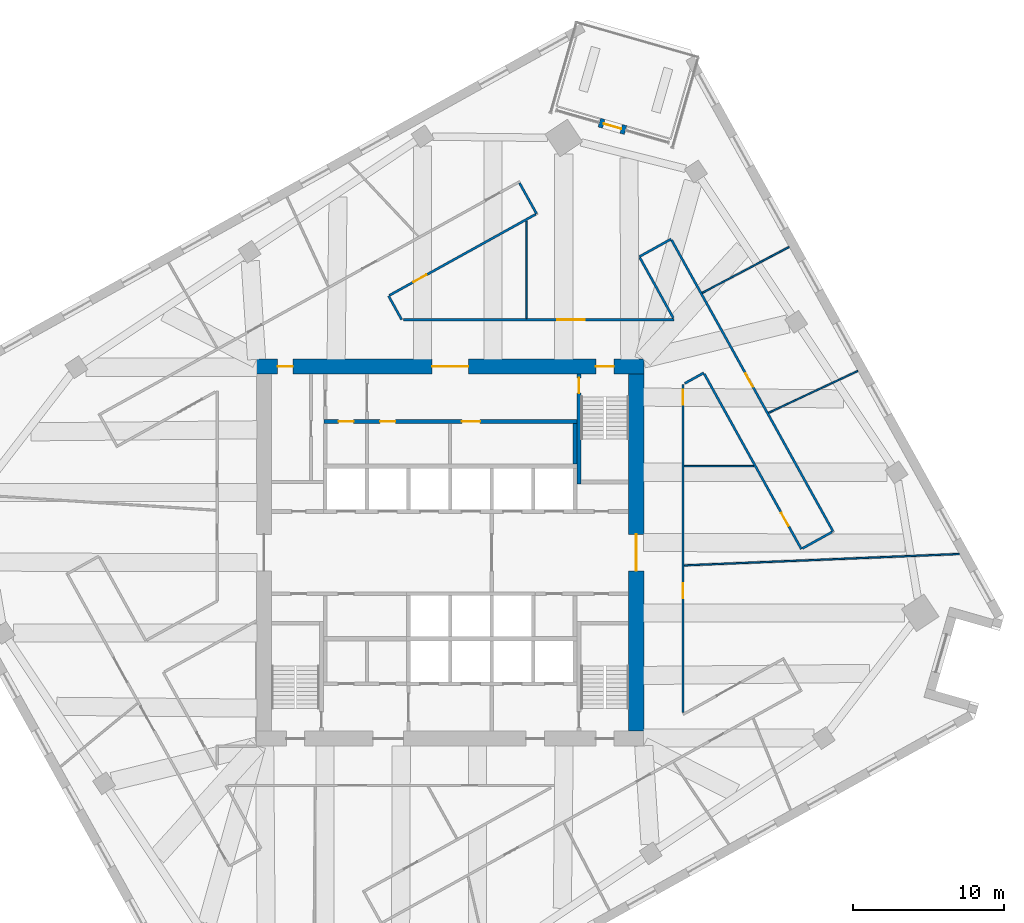
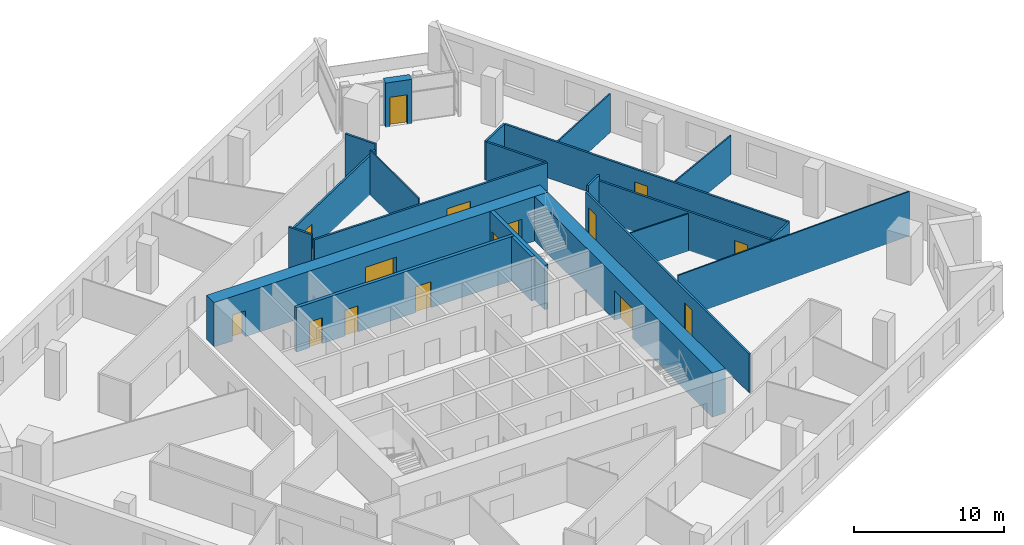
# One storey, part 9 of 12: 22 walls, 15 doors, 15 openings.
"""IFC4 building model written with IfcOpenShell, lengths in metres."""

from ifc_helpers import new_model, si_unit, direction, frame, frame_2d, origin, place, context, subcontext, project, spatial, rectangle, extrude, material, layer, layer_set, type_object, element, fill, save


model = new_model("IFC4")

# Units and contexts
model_context = context("Model", 3, precision=1e-05, world=origin(), true_north=direction((0.0, 1.0)))
body_context = subcontext(model_context, "Body", "Model", "MODEL_VIEW")
ifc_project = project(units=[si_unit("LENGTHUNIT", "METRE"), si_unit("AREAUNIT", "SQUARE_METRE"), si_unit("VOLUMEUNIT", "CUBIC_METRE"), si_unit("PLANEANGLEUNIT", "RADIAN"), si_unit("MASSUNIT", "GRAM", prefix="KILO")], contexts=[model_context])

# Site, building, storey
site_placement = place(None, origin())
site = spatial("IfcSite", under=ifc_project, at=site_placement, CompositionType="ELEMENT")
building_placement = place(site_placement, origin())
building = spatial("IfcBuilding", under=site, at=building_placement, Name="Dilmun Exchange Tower", CompositionType="ELEMENT")
storey_placement = place(building_placement, frame((0.0, 0.0, 143.699951171875)))
storey = spatial("IfcBuildingStorey", under=building, at=storey_placement, Name="L33", CompositionType="ELEMENT", Elevation=143.699951171875)

# Wall
ifc_material_1 = material(Name="Concrete C40/50", Category="concrete")
ifc_layer_1 = layer(ifc_material_1, 0.25)
ifc_layer_set_1 = layer_set([ifc_layer_1], Name="Concrete C40/50")
wall_type_1 = type_object("IfcWallType", Name="Core partition wall 250", PredefinedType="PARTITIONING", material=ifc_layer_set_1)
wall_1_placement = place(storey_placement, frame((8.25, 5.85498046875, 0.0), z_axis=(0.0, 0.0, 1.0), x_axis=(0.0, 1.0, 0.0)))
element("IfcWall", 1, at=wall_1_placement, inside=storey, type_object=wall_type_1, Name="L33 core partition wall 19", PredefinedType="PARTITIONING", context=body_context, shape_type="SweptSolid", body=[
    extrude(rectangle(XDim=2.68994140625, YDim=0.25, at=frame_2d((1.344970703125, 0.0))), origin(), (0.0, 0.0, 1.0), 3.60009765625),
])

# Wall, openings, doors
wall_2_placement = place(storey_placement, frame((-8.35009765625, 8.675048828125, 0.0), z_axis=(0.0, 0.0, 1.0), x_axis=(1.0, 0.0, 0.0)))
wall_2 = element("IfcWall", 2, at=wall_2_placement, inside=storey, type_object=wall_type_1, Name="L33 core partition wall 20", PredefinedType="PARTITIONING", context=body_context, shape_type="SweptSolid", body=[
    extrude(rectangle(XDim=16.72021484375, YDim=0.25, at=frame_2d((8.360107421875, 0.0))), origin(), (0.0, 0.0, 1.0), 3.60009765625),
])
opening_1_placement = place(wall_2_placement, frame((0.97509765625, 0.0, 0.0)))
opening_1 = element("IfcOpeningElement", 3, at=opening_1_placement, cuts=wall_2, Name="Opening CD4", PredefinedType="OPENING", context=body_context, shape_type="SweptSolid", body=[
    extrude(rectangle(XDim=1.0, YDim=2.10009765625, at=frame_2d((0.5, 1.050048828125))), frame((0.0, 0.135009765625, 0.0), z_axis=(0.0, -1.0, 0.0), x_axis=(1.0, 0.0, 0.0)), (0.0, 0.0, 1.0), 0.27001953125),
])
opening_2_placement = place(wall_2_placement, frame((3.72509765625, 0.0, 0.0)))
opening_2 = element("IfcOpeningElement", 4, at=opening_2_placement, cuts=wall_2, Name="Opening CD4", PredefinedType="OPENING", context=body_context, shape_type="SweptSolid", body=[
    extrude(rectangle(XDim=1.0, YDim=2.10009765625, at=frame_2d((0.5, 1.050048828125))), frame((0.0, 0.135009765625, 0.0), z_axis=(0.0, -1.0, 0.0), x_axis=(1.0, 0.0, 0.0)), (0.0, 0.0, 1.0), 0.27001953125),
])
opening_3_placement = place(wall_2_placement, frame((9.125, 0.0, 0.0)))
opening_3 = element("IfcOpeningElement", 5, at=opening_3_placement, cuts=wall_2, Name="Opening CD3", PredefinedType="OPENING", context=body_context, shape_type="SweptSolid", body=[
    extrude(rectangle(XDim=1.199951171875, YDim=2.10009765625, at=frame_2d((0.60009765625, 1.050048828125))), frame((0.0, 0.135009765625, 0.0), z_axis=(0.0, -1.0, 0.0), x_axis=(1.0, 0.0, 0.0)), (0.0, 0.0, 1.0), 0.27001953125),
])
ifc_material_2 = material(Name="Fire-rated steel door set", Category="steel")
door_type_1 = type_object("IfcDoorType", Name="Core room door 1000x2100", OperationType="SINGLE_SWING_LEFT", PredefinedType="DOOR", material=ifc_material_2)
door_1_placement = place(opening_1_placement, origin())
door_1 = element("IfcDoor", 6, at=door_1_placement, inside=storey, type_object=door_type_1, Name="L33 door Electrical room", OperationType="SINGLE_SWING_RIGHT", OverallHeight=2.10009765625, OverallWidth=1.0, PredefinedType="DOOR", context=body_context, shape_type="SweptSolid", body=[
    extrude(rectangle(XDim=1.0, YDim=2.10009765625, at=frame_2d((0.5, 1.050048828125))), frame((0.0, 0.02490234375, 0.0), z_axis=(0.0, -1.0, 0.0), x_axis=(1.0, 0.0, 0.0)), (0.0, 0.0, 1.0), 0.050048828125),
])
fill(opening_1, door_1)
door_2_placement = place(opening_2_placement, origin())
door_2 = element("IfcDoor", 7, at=door_2_placement, inside=storey, type_object=door_type_1, Name="L33 door Tenant services room", OperationType="SINGLE_SWING_RIGHT", OverallHeight=2.10009765625, OverallWidth=1.0, PredefinedType="DOOR", context=body_context, shape_type="SweptSolid", body=[
    extrude(rectangle(XDim=1.0, YDim=2.10009765625, at=frame_2d((0.5, 1.050048828125))), frame((0.0, 0.02490234375, 0.0), z_axis=(0.0, -1.0, 0.0), x_axis=(1.0, 0.0, 0.0)), (0.0, 0.0, 1.0), 0.050048828125),
])
fill(opening_2, door_2)
door_type_2 = type_object("IfcDoorType", Name="Stair exit door 1200x2100", OperationType="SINGLE_SWING_LEFT", PredefinedType="DOOR", material=ifc_material_2)
door_3_placement = place(opening_3_placement, origin())
door_3 = element("IfcDoor", 8, at=door_3_placement, inside=storey, type_object=door_type_2, Name="L33 door Tenant amenity store", OperationType="SINGLE_SWING_LEFT", OverallHeight=2.10009765625, OverallWidth=1.199951171875, PredefinedType="DOOR", context=body_context, shape_type="SweptSolid", body=[
    extrude(rectangle(XDim=1.199951171875, YDim=2.10009765625, at=frame_2d((0.60009765625, 1.050048828125))), frame((0.0, 0.02490234375, 0.0), z_axis=(0.0, -1.0, 0.0), x_axis=(1.0, 0.0, 0.0)), (0.0, 0.0, 1.0), 0.050048828125),
])
fill(opening_3, door_3)

ifc_material_3 = material(Name="Concrete C70/85", Category="concrete")
ifc_layer_2 = layer(ifc_material_3, 1.0)
ifc_layer_set_2 = layer_set([ifc_layer_2], Name="Concrete C70/85")
wall_type_2 = type_object("IfcWallType", Name="Core shear wall 1000 Concrete C70/85", PredefinedType="SHEAR", material=ifc_layer_set_2)
wall_3_placement = place(storey_placement, frame((-12.800048828125, 12.300048828125, 0.0), z_axis=(0.0, 0.0, 1.0), x_axis=(1.0, 0.0, 0.0)))
wall_3 = element("IfcWall", 9, at=wall_3_placement, inside=storey, type_object=wall_type_2, Name="L33 core shear wall N", PredefinedType="SHEAR", context=body_context, shape_type="SweptSolid", body=[
    extrude(rectangle(XDim=25.60009765625, YDim=1.0, at=frame_2d((12.800048828125, 0.0))), origin(), (0.0, 0.0, 1.0), 3.60009765625),
])
opening_4_placement = place(wall_3_placement, frame((11.60009765625, 0.0, 0.0)))
opening_4 = element("IfcOpeningElement", 10, at=opening_4_placement, cuts=wall_3, Name="Opening CD1", PredefinedType="OPENING", context=body_context, shape_type="SweptSolid", body=[
    extrude(rectangle(XDim=2.39990234375, YDim=2.39990234375, at=frame_2d((1.199951171875, 1.199951171875))), frame((0.0, 0.510009765625, 0.0), z_axis=(0.0, -1.0, 0.0), x_axis=(1.0, 0.0, 0.0)), (0.0, 0.0, 1.0), 1.02001953125),
])
opening_5_placement = place(wall_3_placement, frame((22.425048828125, 0.0, 0.0)))
opening_5 = element("IfcOpeningElement", 11, at=opening_5_placement, cuts=wall_3, Name="Opening CD3", PredefinedType="OPENING", context=body_context, shape_type="SweptSolid", body=[
    extrude(rectangle(XDim=1.199951171875, YDim=2.10009765625, at=frame_2d((0.60009765625, 1.050048828125))), frame((0.0, 0.510009765625, 0.0), z_axis=(0.0, -1.0, 0.0), x_axis=(1.0, 0.0, 0.0)), (0.0, 0.0, 1.0), 1.02001953125),
])
opening_6_placement = place(wall_3_placement, frame((1.39990234375, 0.0, 0.0)))
opening_6 = element("IfcOpeningElement", 12, at=opening_6_placement, cuts=wall_3, Name="Opening CD4", PredefinedType="OPENING", context=body_context, shape_type="SweptSolid", body=[
    extrude(rectangle(XDim=1.0, YDim=2.10009765625, at=frame_2d((0.5, 1.050048828125))), frame((0.0, 0.510009765625, 0.0), z_axis=(0.0, -1.0, 0.0), x_axis=(1.0, 0.0, 0.0)), (0.0, 0.0, 1.0), 1.02001953125),
])
door_type_3 = type_object("IfcDoorType", Name="Core lobby door 2400x2400", OperationType="DOUBLE_DOOR_DOUBLE_SWING", PredefinedType="DOOR", material=ifc_material_2)
door_4_placement = place(opening_4_placement, origin())
door_4 = element("IfcDoor", 13, at=door_4_placement, inside=storey, type_object=door_type_3, Name="L33 door North lift lobby", OperationType="SINGLE_SWING_LEFT", OverallHeight=2.39990234375, OverallWidth=2.39990234375, PredefinedType="DOOR", context=body_context, shape_type="SweptSolid", body=[
    extrude(rectangle(XDim=2.39990234375, YDim=2.39990234375, at=frame_2d((1.199951171875, 1.199951171875))), frame((0.0, 0.02490234375, 0.0), z_axis=(0.0, -1.0, 0.0), x_axis=(1.0, 0.0, 0.0)), (0.0, 0.0, 1.0), 0.050048828125),
])
fill(opening_4, door_4)
door_5_placement = place(opening_6_placement, origin())
door_5 = element("IfcDoor", 14, at=door_5_placement, inside=storey, type_object=door_type_1, Name="L33 door North-west core rooms", OperationType="SINGLE_SWING_LEFT", OverallHeight=2.10009765625, OverallWidth=1.0, PredefinedType="DOOR", context=body_context, shape_type="SweptSolid", body=[
    extrude(rectangle(XDim=1.0, YDim=2.10009765625, at=frame_2d((0.5, 1.050048828125))), frame((0.0, 0.02490234375, 0.0), z_axis=(0.0, -1.0, 0.0), x_axis=(1.0, 0.0, 0.0)), (0.0, 0.0, 1.0), 0.050048828125),
])
fill(opening_6, door_5)
door_6_placement = place(opening_5_placement, origin())
door_6 = element("IfcDoor", 15, at=door_6_placement, inside=storey, type_object=door_type_2, Name="L33 door Stair ST1", OperationType="SINGLE_SWING_LEFT", OverallHeight=2.10009765625, OverallWidth=1.199951171875, PredefinedType="DOOR", context=body_context, shape_type="SweptSolid", body=[
    extrude(rectangle(XDim=1.199951171875, YDim=2.10009765625, at=frame_2d((0.60009765625, 1.050048828125))), frame((0.0, 0.02490234375, 0.0), z_axis=(0.0, -1.0, 0.0), x_axis=(1.0, 0.0, 0.0)), (0.0, 0.0, 1.0), 0.050048828125),
])
fill(opening_5, door_6)

# Wall, opening, door
wall_4_placement = place(storey_placement, frame((12.300048828125, -11.800048828125, 0.0), z_axis=(0.0, 0.0, 1.0), x_axis=(0.0, 1.0, 0.0)))
wall_4 = element("IfcWall", 16, at=wall_4_placement, inside=storey, type_object=wall_type_2, Name="L33 core shear wall E", PredefinedType="SHEAR", context=body_context, shape_type="SweptSolid", body=[
    extrude(rectangle(XDim=23.60009765625, YDim=1.0, at=frame_2d((11.800048828125, 0.0))), origin(), (0.0, 0.0, 1.0), 3.60009765625),
])
opening_7_placement = place(wall_4_placement, frame((10.60009765625, 0.0, 0.0)))
opening_7 = element("IfcOpeningElement", 17, at=opening_7_placement, cuts=wall_4, Name="Opening CD1", PredefinedType="OPENING", context=body_context, shape_type="SweptSolid", body=[
    extrude(rectangle(XDim=2.39990234375, YDim=2.39990234375, at=frame_2d((1.199951171875, 1.199951171875))), frame((0.0, 0.510009765625, 0.0), z_axis=(0.0, -1.0, 0.0), x_axis=(1.0, 0.0, 0.0)), (0.0, 0.0, 1.0), 1.02001953125),
])
door_7_placement = place(opening_7_placement, origin())
door_7 = element("IfcDoor", 18, at=door_7_placement, inside=storey, type_object=door_type_3, Name="L33 door Central lift lobby", OperationType="SINGLE_SWING_LEFT", OverallHeight=2.39990234375, OverallWidth=2.39990234375, PredefinedType="DOOR", context=body_context, shape_type="SweptSolid", body=[
    extrude(rectangle(XDim=2.39990234375, YDim=2.39990234375, at=frame_2d((1.199951171875, 1.199951171875))), frame((0.0, 0.02490234375, 0.0), z_axis=(0.0, -1.0, 0.0), x_axis=(1.0, 0.0, 0.0)), (0.0, 0.0, 1.0), 0.050048828125),
])
fill(opening_7, door_7)

# Wall
ifc_material_4 = material(Name="Corridor wall 150")
ifc_layer_3 = layer(ifc_material_4, 0.14990234375)
ifc_layer_set_3 = layer_set([ifc_layer_3], Name="Corridor wall 150")
wall_type_3 = type_object("IfcWallType", Name="Corridor wall 150", PredefinedType="PARTITIONING", material=ifc_layer_set_3)
wall_5_placement = place(storey_placement, frame((-4.073974609375, 16.972900390625, 0.0), z_axis=(0.0, 0.0, 1.0), x_axis=(0.484870548803, -0.874585931114, 0.0)))
element("IfcWall", 19, at=wall_5_placement, inside=storey, type_object=wall_type_3, Name="Corridor wall", PredefinedType="PARTITIONING", context=body_context, shape_type="SweptSolid", body=[
    extrude(rectangle(XDim=1.798583984375, YDim=0.14990234375, at=frame_2d((0.8994140625, 0.0))), origin(), (0.0, 0.0, 1.0), 3.60009765625),
])

# Wall, opening, door
wall_6_placement = place(storey_placement, frame((-4.00830078125, 17.009521484375, 0.0), z_axis=(0.0, 0.0, 1.0), x_axis=(0.874611645774, 0.484824163049, 0.0)))
wall_6 = element("IfcWall", 20, at=wall_6_placement, inside=storey, type_object=wall_type_3, Name="Corridor wall", PredefinedType="PARTITIONING", context=body_context, shape_type="SweptSolid", body=[
    extrude(rectangle(XDim=11.041259765625, YDim=0.14990234375, at=frame_2d((5.5205078125, 0.0))), origin(), (0.0, 0.0, 1.0), 3.150146484375),
])
opening_8_placement = place(wall_6_placement, frame((1.800048828125, 0.0, 0.0)))
opening_8 = element("IfcOpeningElement", 21, at=opening_8_placement, cuts=wall_6, Name="Opening TF31-D12", PredefinedType="OPENING", context=body_context, shape_type="SweptSolid", body=[
    extrude(rectangle(XDim=1.0, YDim=2.10009765625, at=frame_2d((0.5, 1.050048828125))), frame((0.0, 0.0849609375, 0.0), z_axis=(0.0, -1.0, 0.0), x_axis=(1.0, 0.0, 0.0)), (0.0, 0.0, 1.0), 0.169921875),
])
ifc_material_5 = material(Name="Fire door 1000 x 2100")
door_type_4 = type_object("IfcDoorType", Name="Fire door 1000 x 2100", OperationType="NOTDEFINED", PredefinedType="DOOR", material=ifc_material_5)
door_8_placement = place(opening_8_placement, frame((1.0, 0.0, 0.0), z_axis=(0.0, 0.0, 1.0), x_axis=(-1.0, 0.0, 0.0)))
door_8 = element("IfcDoor", 22, at=door_8_placement, inside=storey, type_object=door_type_4, Name="Door TF31-D12", OperationType="SINGLE_SWING_RIGHT", OverallHeight=2.10009765625, OverallWidth=1.0, PredefinedType="DOOR", context=body_context, shape_type="SweptSolid", body=[
    extrude(rectangle(XDim=1.0, YDim=2.10009765625, at=frame_2d((0.5, 1.050048828125))), frame((0.0, 0.02490234375, 0.0), z_axis=(0.0, -1.0, 0.0), x_axis=(1.0, 0.0, 0.0)), (0.0, 0.0, 1.0), 0.050048828125),
])
fill(opening_8, door_8)

wall_7_placement = place(storey_placement, frame((-3.07470703125, 15.39990234375, 0.0), z_axis=(0.0, 0.0, 1.0), x_axis=(1.0, 0.0, 0.0)))
wall_7 = element("IfcWall", 23, at=wall_7_placement, inside=storey, type_object=wall_type_3, Name="Corridor wall", PredefinedType="PARTITIONING", context=body_context, shape_type="SweptSolid", body=[
    extrude(rectangle(XDim=17.8857421875, YDim=0.14990234375, at=frame_2d((8.94287109375, 0.0))), origin(), (0.0, 0.0, 1.0), 3.150146484375),
])
opening_9_placement = place(wall_7_placement, frame((10.169921875, 0.0, 0.0)))
opening_9 = element("IfcOpeningElement", 24, at=opening_9_placement, cuts=wall_7, Name="Opening TF31-D15", PredefinedType="OPENING", context=body_context, shape_type="SweptSolid", body=[
    extrude(rectangle(XDim=1.800048828125, YDim=2.10009765625, at=frame_2d((0.89990234375, 1.050048828125))), frame((0.0, 0.0849609375, 0.0), z_axis=(0.0, -1.0, 0.0), x_axis=(1.0, 0.0, 0.0)), (0.0, 0.0, 1.0), 0.169921875),
])
ifc_material_6 = material(Name="Fire door pair 1800 x 2100")
door_type_5 = type_object("IfcDoorType", Name="Fire door pair 1800 x 2100", OperationType="NOTDEFINED", PredefinedType="DOOR", material=ifc_material_6)
door_9_placement = place(opening_9_placement, origin())
door_9 = element("IfcDoor", 25, at=door_9_placement, inside=storey, type_object=door_type_5, Name="Door TF31-D15", OperationType="DOUBLE_DOOR_SINGLE_SWING", OverallHeight=2.10009765625, OverallWidth=1.800048828125, PredefinedType="DOOR", context=body_context, shape_type="SweptSolid", body=[
    extrude(rectangle(XDim=1.800048828125, YDim=2.10009765625, at=frame_2d((0.89990234375, 1.050048828125))), frame((0.0, 0.02490234375, 0.0), z_axis=(0.0, -1.0, 0.0), x_axis=(1.0, 0.0, 0.0)), (0.0, 0.0, 1.0), 0.050048828125),
])
fill(opening_9, door_9)

# Walls
wall_8_placement = place(storey_placement, frame((4.58642578125, 24.432373046875, 0.0), z_axis=(0.0, 0.0, 1.0), x_axis=(0.484983092102, -0.874523527628, 0.0)))
element("IfcWall", 26, at=wall_8_placement, inside=storey, type_object=wall_type_3, Name="Corridor wall", PredefinedType="PARTITIONING", context=body_context, shape_type="SweptSolid", body=[
    extrude(rectangle(XDim=2.3251953125, YDim=0.14990234375, at=frame_2d((1.16259765625, 0.0))), origin(), (0.0, 0.0, 1.0), 3.60009765625),
])
wall_9_placement = place(storey_placement, frame((12.50390625, 19.56298828125, 0.0), z_axis=(0.0, 0.0, 1.0), x_axis=(0.874703778473, 0.484657920522, 0.0)))
element("IfcWall", 27, at=wall_9_placement, inside=storey, type_object=wall_type_3, Name="Corridor wall", PredefinedType="PARTITIONING", context=body_context, shape_type="SweptSolid", body=[
    extrude(rectangle(XDim=2.39990234375, YDim=0.14990234375, at=frame_2d((1.199951171875, 0.0))), origin(), (0.0, 0.0, 1.0), 3.150146484375),
])
wall_10_placement = place(storey_placement, frame((12.540283203125, 19.497314453125, 0.0), z_axis=(0.0, 0.0, 1.0), x_axis=(0.48474201542, -0.874657177691, 0.0)))
element("IfcWall", 28, at=wall_10_placement, inside=storey, type_object=wall_type_3, Name="Corridor wall", PredefinedType="PARTITIONING", context=body_context, shape_type="SweptSolid", body=[
    extrude(rectangle(XDim=4.55712890625, YDim=0.14990234375, at=frame_2d((2.278564453125, 0.0))), origin(), (0.0, 0.0, 1.0), 3.150146484375),
])

# Wall, opening, door
wall_11_placement = place(storey_placement, frame((14.639404296875, 20.660400390625, 0.0), z_axis=(0.0, 0.0, 1.0), x_axis=(0.484803020703, -0.874623365294, 0.0)))
wall_11 = element("IfcWall", 29, at=wall_11_placement, inside=storey, type_object=wall_type_3, Name="Corridor wall", PredefinedType="PARTITIONING", context=body_context, shape_type="SweptSolid", body=[
    extrude(rectangle(XDim=22.020263671875, YDim=0.14990234375, at=frame_2d((11.01025390625, 0.0))), origin(), (0.0, 0.0, 1.0), 3.150146484375),
])
opening_10_placement = place(wall_11_placement, frame((10.08251953125, 0.0, 0.0)))
opening_10 = element("IfcOpeningElement", 30, at=opening_10_placement, cuts=wall_11, Name="Opening TF31-D20", PredefinedType="OPENING", context=body_context, shape_type="SweptSolid", body=[
    extrude(rectangle(XDim=1.0, YDim=2.10009765625, at=frame_2d((0.5, 1.050048828125))), frame((0.0, 0.0849609375, 0.0), z_axis=(0.0, -1.0, 0.0), x_axis=(1.0, 0.0, 0.0)), (0.0, 0.0, 1.0), 0.169921875),
])
door_10_placement = place(opening_10_placement, origin())
door_10 = element("IfcDoor", 31, at=door_10_placement, inside=storey, type_object=door_type_4, Name="Door TF31-D20", OperationType="SINGLE_SWING_RIGHT", OverallHeight=2.10009765625, OverallWidth=1.0, PredefinedType="DOOR", context=body_context, shape_type="SweptSolid", body=[
    extrude(rectangle(XDim=1.0, YDim=2.10009765625, at=frame_2d((0.5, 1.050048828125))), frame((0.0, 0.02490234375, 0.0), z_axis=(0.0, -1.0, 0.0), x_axis=(1.0, 0.0, 0.0)), (0.0, 0.0, 1.0), 0.050048828125),
])
fill(opening_10, door_10)

# Wall, openings, doors
wall_12_placement = place(storey_placement, frame((15.39990234375, -10.567626953125, 0.0), z_axis=(0.0, 0.0, 1.0), x_axis=(0.0, 1.0, 0.0)))
wall_12 = element("IfcWall", 32, at=wall_12_placement, inside=storey, type_object=wall_type_3, Name="Corridor wall", PredefinedType="PARTITIONING", context=body_context, shape_type="SweptSolid", body=[
    extrude(rectangle(XDim=21.694580078125, YDim=0.14990234375, at=frame_2d((10.84716796875, 0.0))), origin(), (0.0, 0.0, 1.0), 3.150146484375),
])
opening_11_placement = place(wall_12_placement, frame((20.33349609375, 0.0, 0.0)))
opening_11 = element("IfcOpeningElement", 33, at=opening_11_placement, cuts=wall_12, Name="Opening TF31-D18", PredefinedType="OPENING", context=body_context, shape_type="SweptSolid", body=[
    extrude(rectangle(XDim=1.0, YDim=2.10009765625, at=frame_2d((0.5, 1.050048828125))), frame((0.0, 0.0849609375, 0.0), z_axis=(0.0, -1.0, 0.0), x_axis=(1.0, 0.0, 0.0)), (0.0, 0.0, 1.0), 0.169921875),
])
opening_12_placement = place(wall_12_placement, frame((7.550048828125, 0.0, 0.0)))
opening_12 = element("IfcOpeningElement", 34, at=opening_12_placement, cuts=wall_12, Name="Opening TF31-D23", PredefinedType="OPENING", context=body_context, shape_type="SweptSolid", body=[
    extrude(rectangle(XDim=1.0, YDim=2.10009765625, at=frame_2d((0.5, 1.050048828125))), frame((0.0, 0.0849609375, 0.0), z_axis=(0.0, -1.0, 0.0), x_axis=(1.0, 0.0, 0.0)), (0.0, 0.0, 1.0), 0.169921875),
])
door_11_placement = place(opening_11_placement, frame((1.0, 0.0, 0.0), z_axis=(0.0, 0.0, 1.0), x_axis=(-1.0, 0.0, 0.0)))
door_11 = element("IfcDoor", 35, at=door_11_placement, inside=storey, type_object=door_type_4, Name="Door TF31-D18", OperationType="SINGLE_SWING_LEFT", OverallHeight=2.10009765625, OverallWidth=1.0, PredefinedType="DOOR", context=body_context, shape_type="SweptSolid", body=[
    extrude(rectangle(XDim=1.0, YDim=2.10009765625, at=frame_2d((0.5, 1.050048828125))), frame((0.0, 0.02490234375, 0.0), z_axis=(0.0, -1.0, 0.0), x_axis=(1.0, 0.0, 0.0)), (0.0, 0.0, 1.0), 0.050048828125),
])
fill(opening_11, door_11)
door_12_placement = place(opening_12_placement, frame((1.0, 0.0, 0.0), z_axis=(0.0, 0.0, 1.0), x_axis=(-1.0, 0.0, 0.0)))
door_12 = element("IfcDoor", 36, at=door_12_placement, inside=storey, type_object=door_type_4, Name="Door TF31-D23", OperationType="SINGLE_SWING_RIGHT", OverallHeight=2.10009765625, OverallWidth=1.0, PredefinedType="DOOR", context=body_context, shape_type="SweptSolid", body=[
    extrude(rectangle(XDim=1.0, YDim=2.10009765625, at=frame_2d((0.5, 1.050048828125))), frame((0.0, 0.02490234375, 0.0), z_axis=(0.0, -1.0, 0.0), x_axis=(1.0, 0.0, 0.0)), (0.0, 0.0, 1.0), 0.050048828125),
])
fill(opening_12, door_12)

# Wall
wall_13_placement = place(storey_placement, frame((15.511474609375, 11.188720703125, 0.0), z_axis=(0.0, 0.0, 1.0), x_axis=(0.874559677803, 0.484917900227, 0.0)))
element("IfcWall", 37, at=wall_13_placement, inside=storey, type_object=wall_type_3, Name="Corridor wall", PredefinedType="PARTITIONING", context=body_context, shape_type="SweptSolid", body=[
    extrude(rectangle(XDim=1.429931640625, YDim=0.14990234375, at=frame_2d((0.71484375, 0.0))), origin(), (0.0, 0.0, 1.0), 3.60009765625),
])

# Wall, opening, door
wall_14_placement = place(storey_placement, frame((16.79833984375, 11.81640625, 0.0), z_axis=(0.0, 0.0, 1.0), x_axis=(0.484762728721, -0.874645697893, 0.0)))
wall_14 = element("IfcWall", 38, at=wall_14_placement, inside=storey, type_object=wall_type_3, Name="Corridor wall", PredefinedType="PARTITIONING", context=body_context, shape_type="SweptSolid", body=[
    extrude(rectangle(XDim=13.239013671875, YDim=0.14990234375, at=frame_2d((6.61962890625, 0.0))), origin(), (0.0, 0.0, 1.0), 3.150146484375),
])
opening_13_placement = place(wall_14_placement, frame((10.502685546875, 0.0, 0.0)))
opening_13 = element("IfcOpeningElement", 39, at=opening_13_placement, cuts=wall_14, Name="Opening TF31-D21", PredefinedType="OPENING", context=body_context, shape_type="SweptSolid", body=[
    extrude(rectangle(XDim=1.0, YDim=2.10009765625, at=frame_2d((0.5, 1.050048828125))), frame((0.0, 0.0849609375, 0.0), z_axis=(0.0, -1.0, 0.0), x_axis=(1.0, 0.0, 0.0)), (0.0, 0.0, 1.0), 0.169921875),
])
door_13_placement = place(opening_13_placement, frame((1.0, 0.0, 0.0), z_axis=(0.0, 0.0, 1.0), x_axis=(-1.0, 0.0, 0.0)))
door_13 = element("IfcDoor", 40, at=door_13_placement, inside=storey, type_object=door_type_4, Name="Door TF31-D21", OperationType="SINGLE_SWING_RIGHT", OverallHeight=2.10009765625, OverallWidth=1.0, PredefinedType="DOOR", context=body_context, shape_type="SweptSolid", body=[
    extrude(rectangle(XDim=1.0, YDim=2.10009765625, at=frame_2d((0.5, 1.050048828125))), frame((0.0, 0.02490234375, 0.0), z_axis=(0.0, -1.0, 0.0), x_axis=(1.0, 0.0, 0.0)), (0.0, 0.0, 1.0), 0.050048828125),
])
fill(opening_13, door_13)

# Walls
wall_15_placement = place(storey_placement, frame((23.281494140625, 0.2734375, 0.0), z_axis=(0.0, 0.0, 1.0), x_axis=(0.874586823728, 0.484868938747, 0.0)))
element("IfcWall", 41, at=wall_15_placement, inside=storey, type_object=wall_type_3, Name="Corridor wall", PredefinedType="PARTITIONING", context=body_context, shape_type="SweptSolid", body=[
    extrude(rectangle(XDim=2.250244140625, YDim=0.14990234375, at=frame_2d((1.125, 0.0))), origin(), (0.0, 0.0, 1.0), 3.150146484375),
])
ifc_material_7 = material(Name="Partition 100")
ifc_layer_4 = layer(ifc_material_7, 0.10009765625)
ifc_layer_set_4 = layer_set([ifc_layer_4], Name="Partition 100")
wall_type_4 = type_object("IfcWallType", Name="Partition 100", PredefinedType="PARTITIONING", material=ifc_layer_set_4)
wall_16_placement = place(storey_placement, frame((5.044921875, 15.47509765625, 0.0), z_axis=(0.0, 0.0, 1.0), x_axis=(0.0, 1.0, 0.0)))
element("IfcWall", 42, at=wall_16_placement, inside=storey, type_object=wall_type_4, Name="Partition", PredefinedType="PARTITIONING", context=body_context, shape_type="SweptSolid", body=[
    extrude(rectangle(XDim=6.439453125, YDim=0.10009765625, at=frame_2d((3.2197265625, 0.0))), origin(), (0.0, 0.0, 1.0), 3.60009765625),
])
wall_17_placement = place(storey_placement, frame((15.47509765625, 5.716064453125, 0.0), z_axis=(0.0, 0.0, 1.0), x_axis=(1.0, 0.0, 0.0)))
element("IfcWall", 43, at=wall_17_placement, inside=storey, type_object=wall_type_4, Name="Partition", PredefinedType="PARTITIONING", context=body_context, shape_type="SweptSolid", body=[
    extrude(rectangle(XDim=4.59033203125, YDim=0.10009765625, at=frame_2d((2.295166015625, 0.0))), origin(), (0.0, 0.0, 1.0), 3.030029296875),
])
wall_18_placement = place(storey_placement, frame((15.47705078125, -0.8447265625, 0.0), z_axis=(0.0, 0.0, 1.0), x_axis=(0.999139523849, 0.041475437099, 0.0)))
element("IfcWall", 44, at=wall_18_placement, inside=storey, type_object=wall_type_4, Name="Partition", PredefinedType="PARTITIONING", context=body_context, shape_type="SweptSolid", body=[
    extrude(rectangle(XDim=18.20068359375, YDim=0.10009765625, at=frame_2d((9.100341796875, 0.0))), origin(), (0.0, 0.0, 1.0), 3.60009765625),
])
wall_19_placement = place(storey_placement, frame((16.662109375, 17.16845703125, 0.0), z_axis=(0.0, 0.0, 1.0), x_axis=(0.883911173827, 0.467654826538, 0.0)))
element("IfcWall", 45, at=wall_19_placement, inside=storey, type_object=wall_type_4, Name="Partition", PredefinedType="PARTITIONING", context=body_context, shape_type="SweptSolid", body=[
    extrude(rectangle(XDim=6.502685546875, YDim=0.10009765625, at=frame_2d((3.25146484375, 0.0))), origin(), (0.0, 0.0, 1.0), 3.150146484375),
])
wall_20_placement = place(storey_placement, frame((21.05810546875, 9.242431640625, 0.0), z_axis=(0.0, 0.0, 1.0), x_axis=(0.905003789347, 0.425403504062, 0.0)))
element("IfcWall", 46, at=wall_20_placement, inside=storey, type_object=wall_type_4, Name="Partition", PredefinedType="PARTITIONING", context=body_context, shape_type="SweptSolid", body=[
    extrude(rectangle(XDim=6.513916015625, YDim=0.10009765625, at=frame_2d((3.2568359375, 0.0))), origin(), (0.0, 0.0, 1.0), 3.150146484375),
])

# Wall, opening, door
ifc_material_8 = material(Name="Precast concrete C50/60", Category="concrete")
ifc_layer_5 = layer(ifc_material_8, 0.60009765625)
ifc_layer_set_5 = layer_set([ifc_layer_5], Name="Precast concrete C50/60")
wall_type_5 = type_object("IfcWallType", Name="Precast stone-clad wall 600", PredefinedType="STANDARD", material=ifc_layer_set_5)
wall_21_placement = place(storey_placement, frame((11.59375, 27.931640625, 0.0), z_axis=(0.0, 0.0, 1.0), x_axis=(-0.96127791106, 0.275580800688, 0.0)))
wall_21 = element("IfcWall", 47, at=wall_21_placement, inside=storey, type_object=wall_type_5, Name="Facade wall L33-01-D", PredefinedType="STANDARD", context=body_context, shape_type="SweptSolid", body=[
    extrude(rectangle(XDim=1.80029296875, YDim=0.60009765625, at=frame_2d((0.900146484375, 0.0))), origin(), (0.0, 0.0, 1.0), 3.60009765625),
])
opening_14_placement = place(wall_21_placement, frame((0.300048828125, 0.0, 0.0)))
opening_14 = element("IfcOpeningElement", 48, at=opening_14_placement, cuts=wall_21, Name="Opening GD-1", PredefinedType="OPENING", context=body_context, shape_type="SweptSolid", body=[
    extrude(rectangle(XDim=1.199951171875, YDim=2.39990234375, at=frame_2d((0.60009765625, 1.199951171875))), frame((0.0, 0.31005859375, 0.0), z_axis=(0.0, -1.0, 0.0), x_axis=(1.0, 0.0, 0.0)), (0.0, 0.0, 1.0), 0.6201171875),
])
ifc_material_9 = material(Name="Clear low-emissivity glass in aluminium frame", Category="aluminium")
door_type_6 = type_object("IfcDoorType", Name="Glazed garden door 1200 x 2400", OperationType="SINGLE_SWING_LEFT", PredefinedType="DOOR", material=ifc_material_9)
door_14_placement = place(opening_14_placement, origin())
door_14 = element("IfcDoor", 49, at=door_14_placement, inside=storey, type_object=door_type_6, Name="Garden terrace door", OperationType="SINGLE_SWING_LEFT", OverallHeight=2.39990234375, OverallWidth=1.199951171875, PredefinedType="DOOR", context=body_context, shape_type="SweptSolid", body=[
    extrude(rectangle(XDim=1.199951171875, YDim=2.39990234375, at=frame_2d((0.60009765625, 1.199951171875))), frame((0.0, 0.02490234375, 0.0), z_axis=(0.0, -1.0, 0.0), x_axis=(1.0, 0.0, 0.0)), (0.0, 0.0, 1.0), 0.050048828125),
])
fill(opening_14, door_14)

ifc_layer_6 = layer(ifc_material_1, 0.27490234375)
ifc_layer_set_6 = layer_set([ifc_layer_6], Name="Concrete C40/50")
wall_type_6 = type_object("IfcWallType", Name="Stair wall 275", PredefinedType="SOLIDWALL", material=ifc_layer_set_6)
wall_22_placement = place(storey_placement, frame((8.512451171875, 4.550048828125, 0.0), z_axis=(0.0, 0.0, 1.0), x_axis=(0.0, 1.0, 0.0)))
wall_22 = element("IfcWall", 50, at=wall_22_placement, inside=storey, type_object=wall_type_6, Name="L33 ST1 wall to lift block", PredefinedType="SOLIDWALL", context=body_context, shape_type="SweptSolid", body=[
    extrude(rectangle(XDim=7.25, YDim=0.27490234375, at=frame_2d((3.625, 0.0))), origin(), (0.0, 0.0, 1.0), 3.60009765625),
])
opening_15_placement = place(wall_22_placement, frame((6.0, 0.0, 0.0)))
opening_15 = element("IfcOpeningElement", 51, at=opening_15_placement, cuts=wall_22, Name="Opening CD4", PredefinedType="OPENING", context=body_context, shape_type="SweptSolid", body=[
    extrude(rectangle(XDim=1.0, YDim=2.10009765625, at=frame_2d((0.5, 1.050048828125))), frame((0.0, 0.1474609375, 0.0), z_axis=(0.0, -1.0, 0.0), x_axis=(1.0, 0.0, 0.0)), (0.0, 0.0, 1.0), 0.294921875),
])
door_15_placement = place(opening_15_placement, origin())
door_15 = element("IfcDoor", 52, at=door_15_placement, inside=storey, type_object=door_type_1, Name="L33 door ST1 from lobby", OperationType="SINGLE_SWING_LEFT", OverallHeight=2.10009765625, OverallWidth=1.0, PredefinedType="DOOR", context=body_context, shape_type="SweptSolid", body=[
    extrude(rectangle(XDim=1.0, YDim=2.10009765625, at=frame_2d((0.5, 1.050048828125))), frame((0.0, 0.02490234375, 0.0), z_axis=(0.0, -1.0, 0.0), x_axis=(1.0, 0.0, 0.0)), (0.0, 0.0, 1.0), 0.050048828125),
])
fill(opening_15, door_15)

save(model, "model.ifc")
